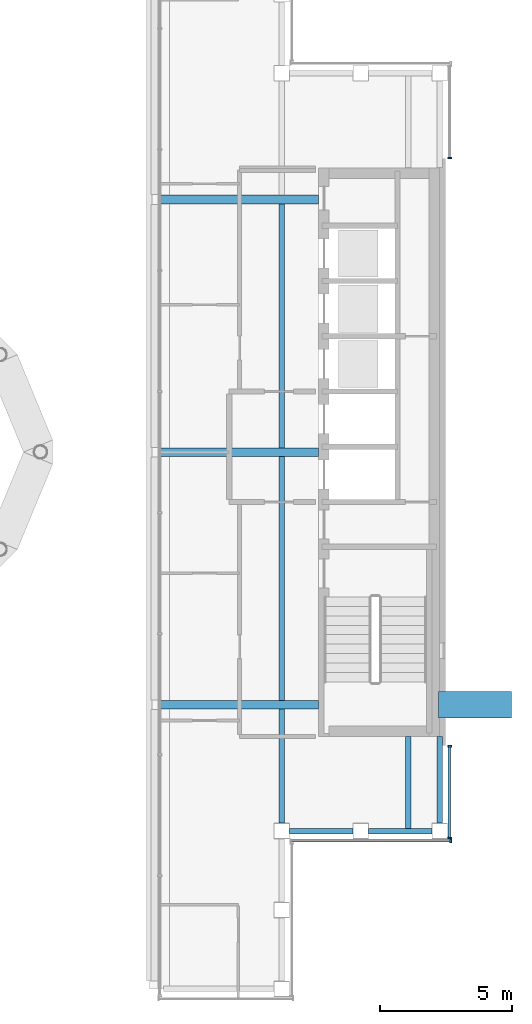
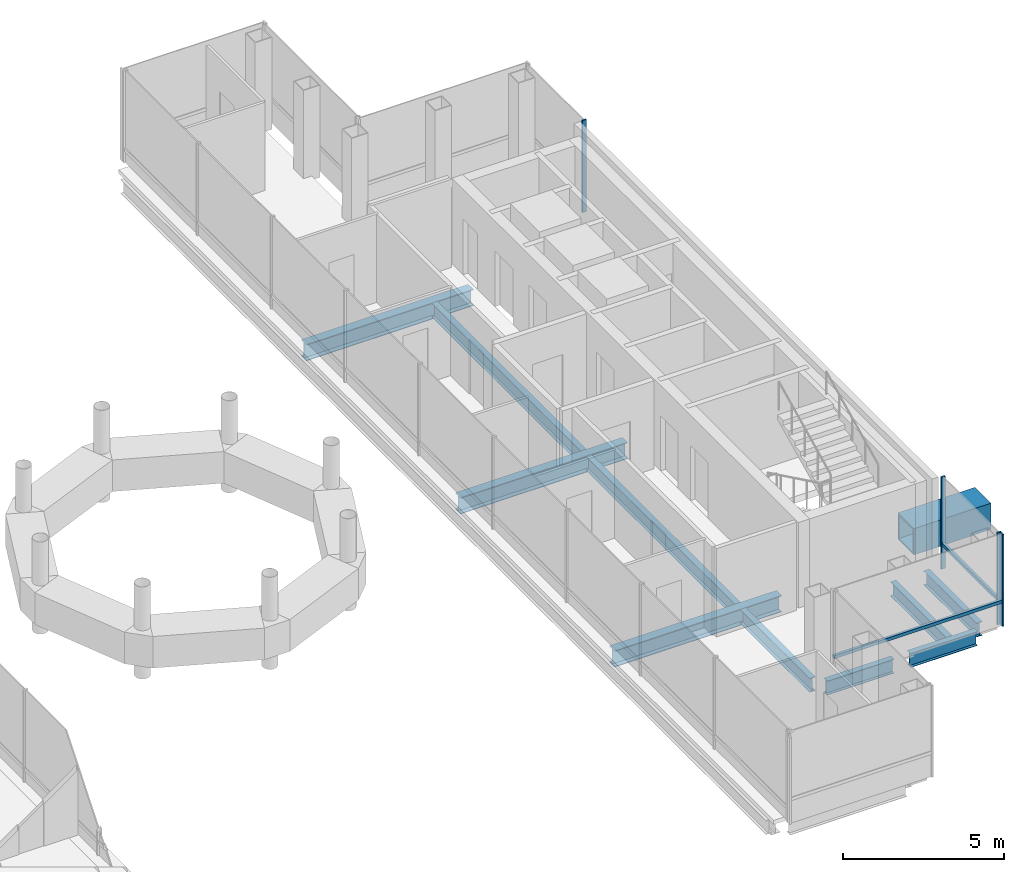
# One storey, part 12 of 21: 11 beams, 6 members, 3 elements without a shape of their own.
"""IFC4 building model written with IfcOpenShell, lengths in metres."""

from ifc_helpers import new_model, si_unit, direction, frame, origin, origin_2d, place, context, subcontext, project, spatial, rectangle, hollow_rectangle, i_section, extrude, material, material_profile, profile_set, type_object, element, aggregate, save


model = new_model("IFC4")

# Units and contexts
model_context = context("Model", 3, precision=1e-05, world=origin(), true_north=direction((0.0, 1.0)))
body_context = subcontext(model_context, "Body", "Model", "MODEL_VIEW")
ifc_project = project(units=[si_unit("LENGTHUNIT", "METRE"), si_unit("AREAUNIT", "SQUARE_METRE"), si_unit("VOLUMEUNIT", "CUBIC_METRE"), si_unit("PLANEANGLEUNIT", "RADIAN"), si_unit("MASSUNIT", "GRAM", prefix="KILO")], contexts=[model_context])

# Site, building, storey
site_placement = place(None, origin())
site = spatial("IfcSite", under=ifc_project, at=site_placement, CompositionType="ELEMENT")
building_placement = place(site_placement, origin())
building = spatial("IfcBuilding", under=site, at=building_placement, Name="Cobrizo Arcos Hotel Tower", CompositionType="ELEMENT")
storey_placement = place(building_placement, frame((0.0, 0.0, 279.5)))
storey = spatial("IfcBuildingStorey", under=building, at=storey_placement, Name="L74", CompositionType="ELEMENT", Elevation=279.5)

# Beam
ifc_material_1 = material(Name="Steel ASTM A572 Grade 50", Category="steel")
ifc_material_profile_1 = material_profile(ifc_material_1, hollow_rectangle(XDim=1.0, YDim=1.0, WallThickness=0.06005859375, at=origin_2d()), Name="BOX 1000X1000X60")
ifc_profile_set_1 = profile_set([ifc_material_profile_1], Name="Steel ASTM A572 Grade 50")
beam_type_1 = type_object("IfcBeamType", Name="BOX 1000X1000X60 brace connector strut", PredefinedType="BEAM", material=ifc_profile_set_1)
beam_1_placement = place(storey_placement, frame((20.35009765625, -9.60009765625, 0.5), z_axis=(1.0, 0.0, 0.0), x_axis=(0.0, 1.0, 0.0)))
element("IfcBeam", 1, at=beam_1_placement, inside=storey, type_object=beam_type_1, Name="Perimeter brace stub BS1, zone Z5, east face, offset -9.60 m, L74", PredefinedType="BEAM", context=body_context, shape_type="SweptSolid", body=[
    extrude(hollow_rectangle(XDim=1.0, YDim=1.0, WallThickness=0.06005859375, at=origin_2d()), origin(), (0.0, 0.0, 1.0), 2.77001953125),
])

# Curtain wall, member
ifc_material_2 = material(Name="Aluminium 6063-T6 anodised bronze", Category="aluminium")
curtain_wall_type = type_object("IfcCurtainWallType", Name="CW-A guest facade", PredefinedType="NOTDEFINED", material=ifc_material_2)
curtain_wall_1_placement = place(storey_placement, origin())
curtain_wall_1 = element("IfcCurtainWall", 2, at=curtain_wall_1_placement, inside=storey, type_object=curtain_wall_type, Name="CW-A L74 S face", PredefinedType="NOTDEFINED")
ifc_material_profile_2 = material_profile(ifc_material_2, rectangle(XDim=0.14990234375, YDim=0.06005859375, at=origin_2d()), Name="CW-A mullion 150x60")
ifc_profile_set_2 = profile_set([ifc_material_profile_2], Name="Aluminium 6063-T6 anodised bronze")
member_type_1 = type_object("IfcMemberType", Name="CW-A mullion 150x60", PredefinedType="MULLION", material=ifc_profile_set_2)
member_1_placement = place(storey_placement, frame((20.820068359375, -14.77490234375, 0.0), z_axis=(0.0, 0.0, 1.0), x_axis=(0.0, -1.0, 0.0)))
member_1 = element("IfcMember", 3, at=member_1_placement, type_object=member_type_1, Name="CW-A mullion 2", PredefinedType="MULLION", context=body_context, shape_type="SweptSolid", body=[
    extrude(rectangle(XDim=0.14990234375, YDim=0.06005859375, at=origin_2d()), origin(), (0.0, 0.0, 1.0), 3.5),
])

# Curtain wall, members
curtain_wall_2_placement = place(storey_placement, origin())
curtain_wall_2 = element("IfcCurtainWall", 4, at=curtain_wall_2_placement, inside=storey, type_object=curtain_wall_type, Name="CW-A L74 E face", PredefinedType="NOTDEFINED")
member_2_placement = place(storey_placement, frame((20.77490234375, -14.669921875, 0.0), z_axis=(0.0, 0.0, 1.0), x_axis=(1.0, 0.0, 0.0)))
member_2 = element("IfcMember", 5, at=member_2_placement, type_object=member_type_1, Name="CW-A mullion 1", PredefinedType="MULLION", context=body_context, shape_type="SweptSolid", body=[
    extrude(rectangle(XDim=0.14990234375, YDim=0.06005859375, at=origin_2d()), origin(), (0.0, 0.0, 1.0), 3.5),
])
member_3_placement = place(storey_placement, frame((20.77490234375, -11.179931640625, 0.0), z_axis=(0.0, 0.0, 1.0), x_axis=(1.0, 0.0, 0.0)))
member_3 = element("IfcMember", 6, at=member_3_placement, type_object=member_type_1, Name="CW-A mullion 2", PredefinedType="MULLION", context=body_context, shape_type="SweptSolid", body=[
    extrude(rectangle(XDim=0.14990234375, YDim=0.06005859375, at=origin_2d()), origin(), (0.0, 0.0, 1.0), 3.5),
])

# Curtain wall, member
curtain_wall_3_placement = place(storey_placement, origin())
curtain_wall_3 = element("IfcCurtainWall", 7, at=curtain_wall_3_placement, inside=storey, type_object=curtain_wall_type, Name="CW-A L74 E face", PredefinedType="NOTDEFINED")
member_4_placement = place(storey_placement, frame((20.77490234375, 11.179931640625, 0.0), z_axis=(0.0, 0.0, 1.0), x_axis=(1.0, 0.0, 0.0)))
member_4 = element("IfcMember", 8, at=member_4_placement, type_object=member_type_1, Name="CW-A mullion 1", PredefinedType="MULLION", context=body_context, shape_type="SweptSolid", body=[
    extrude(rectangle(XDim=0.14990234375, YDim=0.06005859375, at=origin_2d()), origin(), (0.0, 0.0, 1.0), 3.5),
])
aggregate(curtain_wall_3, [member_4])

# Member
ifc_material_profile_3 = material_profile(ifc_material_2, rectangle(XDim=0.10009765625, YDim=0.1201171875, at=origin_2d()), Name="CW-A transom 120x100")
ifc_profile_set_3 = profile_set([ifc_material_profile_3], Name="Aluminium 6063-T6 anodised bronze")
member_type_2 = type_object("IfcMemberType", Name="CW-A transom 120x100", PredefinedType="USERDEFINED", material=ifc_profile_set_3)
member_5_placement = place(storey_placement, frame((14.760009765625, -14.77490234375, 0.929931640625), z_axis=(1.0, 0.0, 0.0), x_axis=(0.0, 1.0, 0.0)))
member_5 = element("IfcMember", 9, at=member_5_placement, type_object=member_type_2, Name="CW-A transom 2336", ObjectType="TRANSOM", PredefinedType="USERDEFINED", context=body_context, shape_type="SweptSolid", body=[
    extrude(rectangle(XDim=0.10009765625, YDim=0.1201171875, at=origin_2d()), origin(), (0.0, 0.0, 1.0), 6.030029296875),
])

aggregate(curtain_wall_1, [member_1, member_5])

member_6_placement = place(storey_placement, frame((20.77490234375, -14.639892578125, 0.929931640625), z_axis=(0.0, 1.0, 0.0), x_axis=(-1.0, 0.0, 0.0)))
member_6 = element("IfcMember", 10, at=member_6_placement, type_object=member_type_2, Name="CW-A transom 2337", ObjectType="TRANSOM", PredefinedType="USERDEFINED", context=body_context, shape_type="SweptSolid", body=[
    extrude(rectangle(XDim=0.10009765625, YDim=0.1201171875, at=origin_2d()), origin(), (0.0, 0.0, 1.0), 3.429931640625),
])

aggregate(curtain_wall_2, [member_2, member_3, member_6])

# Beams
ifc_material_3 = material(Name="Steel ASTM A992 Grade 50", Category="steel")
ifc_material_profile_4 = material_profile(ifc_material_3, i_section(OverallWidth=0.209228515625, OverallDepth=0.533447265625, WebThickness=0.01025390625, FlangeThickness=0.015625, at=origin_2d()), Name="W21X62")
ifc_profile_set_4 = profile_set([ifc_material_profile_4], Name="Steel ASTM A992 Grade 50")
beam_type_2 = type_object("IfcBeamType", Name="W21X62 joist", PredefinedType="JOIST", material=ifc_profile_set_4)
beam_2_placement = place(storey_placement, frame((14.39990234375, -14.10009765625, -0.416748046875), z_axis=(0.0, 1.0, 0.0), x_axis=(-1.0, 0.0, 0.0)))
element("IfcBeam", 11, at=beam_2_placement, inside=storey, type_object=beam_type_2, Name="Floor joist J1, L74, no. 007", PredefinedType="JOIST", context=body_context, shape_type="SweptSolid", body=[
    extrude(i_section(OverallWidth=0.209228515625, OverallDepth=0.533447265625, WebThickness=0.01025390625, FlangeThickness=0.015625, at=origin_2d()), origin(), (0.0, 0.0, 1.0), 4.336181640625),
])
for number, where, z_axis, x_axis, name in (
    (12, (14.39990234375, -9.43603515625, -0.416748046875), (0.0, 1.0, 0.0), (-1.0, 0.0, 0.0), "Floor joist J1, L74, no. 008"),
    (13, (14.39990234375, 0.163818359375, -0.416748046875), (0.0, 1.0, 0.0), (-1.0, 0.0, 0.0), "Floor joist J1, L74, no. 009"),
):
    element("IfcBeam", number, at=place(storey_placement, frame(where, z_axis=z_axis, x_axis=x_axis)), inside=storey, type_object=beam_type_2, Name=name, PredefinedType="JOIST", context=body_context, shape_type="SweptSolid", body=[
        extrude(i_section(OverallWidth=0.209228515625, OverallDepth=0.533447265625, WebThickness=0.01025390625, FlangeThickness=0.015625, at=origin_2d()), origin(), (0.0, 0.0, 1.0), 9.272216796875),
    ])
beam_3_placement = place(storey_placement, frame((19.199951171875, -14.31005859375, -0.416748046875), z_axis=(0.0, 1.0, 0.0), x_axis=(-1.0, 0.0, 0.0)))
element("IfcBeam", 14, at=beam_3_placement, inside=storey, type_object=beam_type_2, Name="Floor joist J1, L74, no. 011", PredefinedType="JOIST", context=body_context, shape_type="SweptSolid", body=[
    extrude(i_section(OverallWidth=0.209228515625, OverallDepth=0.533447265625, WebThickness=0.01025390625, FlangeThickness=0.015625, at=origin_2d()), origin(), (0.0, 0.0, 1.0), 3.5),
])
ifc_material_profile_5 = material_profile(ifc_material_3, i_section(OverallWidth=0.209228515625, OverallDepth=0.533447265625, WebThickness=0.01025390625, FlangeThickness=0.015625, at=origin_2d()), Name="W21X62")
ifc_profile_set_5 = profile_set([ifc_material_profile_5], Name="Steel ASTM A992 Grade 50")
beam_type_3 = type_object("IfcBeamType", Name="W21X62 spandrel", PredefinedType="SPANDREL", material=ifc_profile_set_5)
beam_4_placement = place(storey_placement, frame((20.39990234375, -10.81005859375, -0.416748046875), z_axis=(0.0, -1.0, 0.0), x_axis=(1.0, 0.0, 0.0)))
element("IfcBeam", 15, at=beam_4_placement, inside=storey, type_object=beam_type_3, Name="Spandrel beam W21X62, L74, no. 020", PredefinedType="SPANDREL", context=body_context, shape_type="SweptSolid", body=[
    extrude(i_section(OverallWidth=0.209228515625, OverallDepth=0.533447265625, WebThickness=0.01025390625, FlangeThickness=0.015625, at=origin_2d()), origin(), (0.0, 0.0, 1.0), 3.2900390625),
])
for number, where, z_axis, x_axis, name in (
    (16, (20.10009765625, -14.39990234375, -0.416748046875), (-1.0, 0.0, 0.0), (0.0, -1.0, 0.0), "Spandrel beam W21X62, L74, no. 021"),
    (17, (17.10009765625, -14.39990234375, -0.416748046875), (-1.0, 0.0, 0.0), (0.0, -1.0, 0.0), "Spandrel beam W21X62, L74, no. 022"),
):
    element("IfcBeam", number, at=place(storey_placement, frame(where, z_axis=z_axis, x_axis=x_axis)), inside=storey, type_object=beam_type_3, Name=name, PredefinedType="SPANDREL", context=body_context, shape_type="SweptSolid", body=[
        extrude(i_section(OverallWidth=0.209228515625, OverallDepth=0.533447265625, WebThickness=0.01025390625, FlangeThickness=0.015625, at=origin_2d()), origin(), (0.0, 0.0, 1.0), 2.400146484375),
    ])
ifc_material_profile_6 = material_profile(ifc_material_3, i_section(OverallWidth=0.32763671875, OverallDepth=0.622314453125, WebThickness=0.015380859375, FlangeThickness=0.0244140625, at=origin_2d()), Name="W24X131")
ifc_profile_set_6 = profile_set([ifc_material_profile_6], Name="Steel ASTM A992 Grade 50")
beam_type_4 = type_object("IfcBeamType", Name="W24X131 girder", PredefinedType="BEAM", material=ifc_profile_set_6)
for number, where, z_axis, x_axis, name in (
    (18, (9.7841796875, -9.60009765625, -0.461181640625), (1.0, 0.0, 0.0), (0.0, 1.0, 0.0), "Floor girder G1, L74, no. 002"),
    (19, (9.7841796875, 0.0, -0.461181640625), (1.0, 0.0, 0.0), (0.0, 1.0, 0.0), "Floor girder G1, L74, no. 004"),
    (20, (9.7841796875, 9.60009765625, -0.461181640625), (1.0, 0.0, 0.0), (0.0, 1.0, 0.0), "Floor girder G1, L74, no. 006"),
):
    element("IfcBeam", number, at=place(storey_placement, frame(where, z_axis=z_axis, x_axis=x_axis)), inside=storey, type_object=beam_type_4, Name=name, PredefinedType="BEAM", context=body_context, shape_type="SweptSolid", body=[
        extrude(i_section(OverallWidth=0.32763671875, OverallDepth=0.622314453125, WebThickness=0.015380859375, FlangeThickness=0.0244140625, at=origin_2d()), origin(), (0.0, 0.0, 1.0), 6.005859375),
    ])

save(model, "model.ifc")
